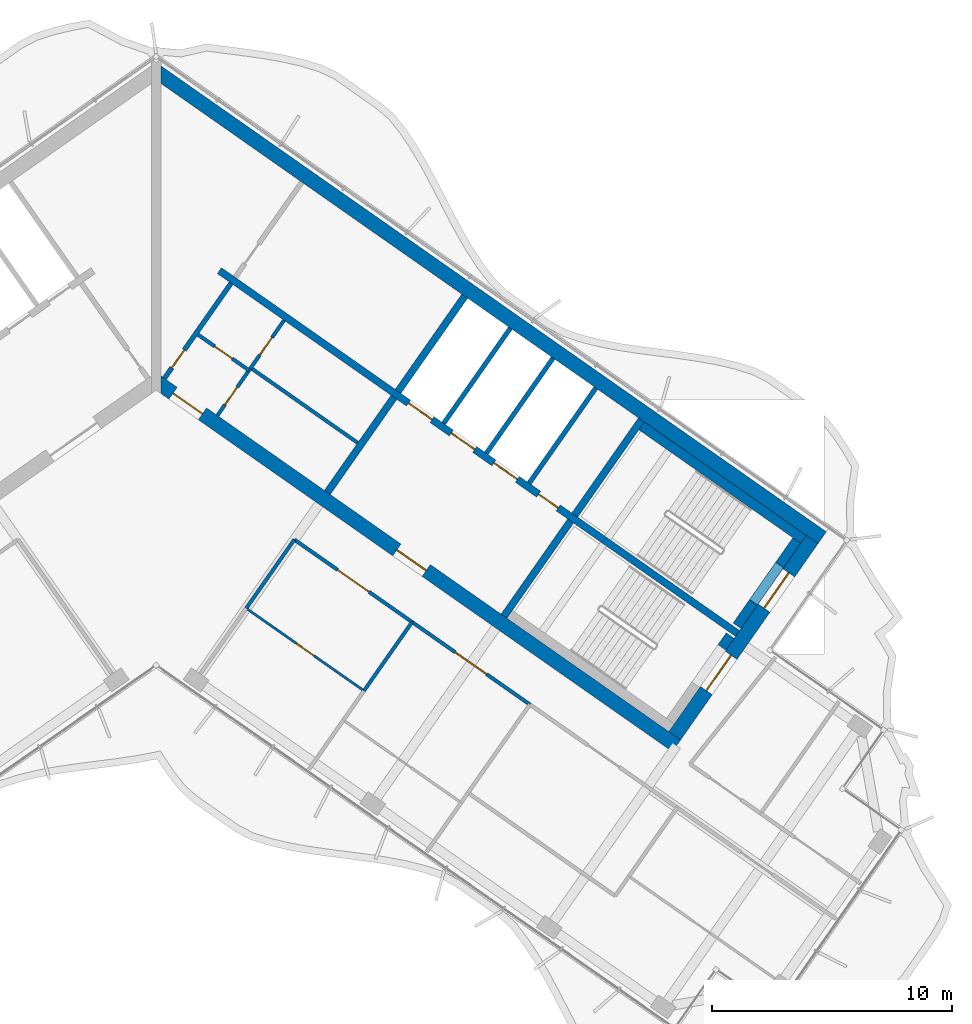
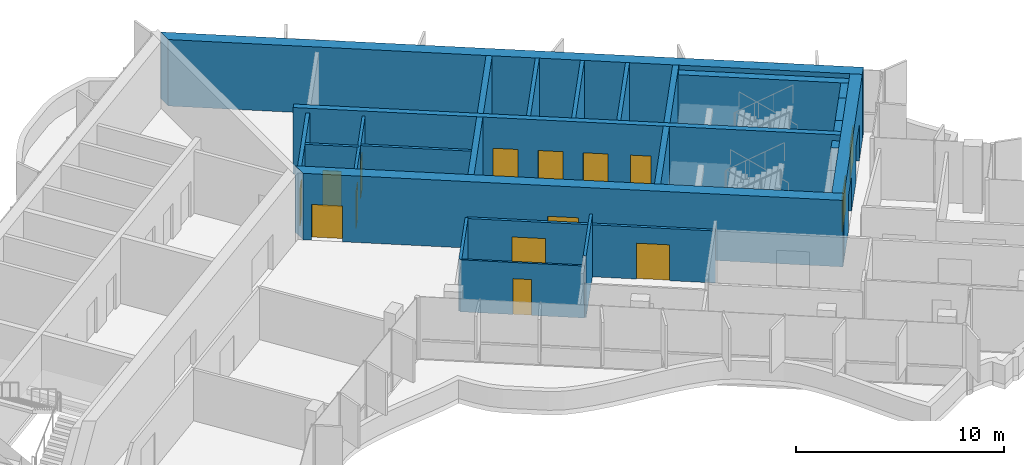
# One storey, part 11 of 18: 25 walls, 15 doors, 15 openings.
"""IFC4 building model written with IfcOpenShell, lengths in metres."""

from ifc_helpers import new_model, si_unit, direction, frame, frame_2d, origin, place, context, subcontext, project, spatial, polyline, rectangle, outline, extrude, material, layer, layer_set, type_object, element, fill, save


model = new_model("IFC4")

# Units and contexts
model_context = context("Model", 3, precision=1e-05, world=origin(), true_north=direction((0.0, 1.0)))
body_context = subcontext(model_context, "Body", "Model", "MODEL_VIEW")
ifc_project = project(units=[si_unit("LENGTHUNIT", "METRE"), si_unit("AREAUNIT", "SQUARE_METRE"), si_unit("VOLUMEUNIT", "CUBIC_METRE"), si_unit("PLANEANGLEUNIT", "RADIAN"), si_unit("MASSUNIT", "GRAM", prefix="KILO")], contexts=[model_context])

# Site, building, storey
site_placement = place(None, origin())
site = spatial("IfcSite", under=ifc_project, at=site_placement, CompositionType="ELEMENT")
building_placement = place(site_placement, origin())
building = spatial("IfcBuilding", under=site, at=building_placement, Name="Tel Ilan Convention Tower", CompositionType="ELEMENT")
storey_placement = place(building_placement, frame((0.0, 0.0, 252.699951171875)))
storey = spatial("IfcBuildingStorey", under=building, at=storey_placement, Name="L59", CompositionType="ELEMENT", Elevation=252.699951171875)

# Wall, openings, doors
ifc_material_1 = material(Name="Gypsum Plasterboard on Steel Stud", Category="steel")
ifc_layer_1 = layer(ifc_material_1, 0.14990234375)
ifc_layer_set_1 = layer_set([ifc_layer_1], Name="Core Room Partition Wall 150 mm EI 60")
wall_type_1 = type_object("IfcWallType", Name="Core Room Partition Wall 150 mm EI 60", PredefinedType="PARTITIONING", material=ifc_layer_set_1)
wall_1_placement = place(storey_placement, frame((2.5556640625, -2.27783203125, 0.0), z_axis=(0.0, 0.0, 1.0), x_axis=(0.573560315113, 0.819163332265, 0.0)))
wall_1 = element("IfcWall", 1, at=wall_1_placement, inside=storey, type_object=wall_type_1, Name="L59 core wall wc-v1", PredefinedType="PARTITIONING", context=body_context, shape_type="SweptSolid", body=[
    extrude(rectangle(XDim=4.849853515625, YDim=0.14990234375, at=frame_2d((2.4248046875, 0.0))), origin(), (0.0, 0.0, 1.0), 3.6201171875),
])
opening_1_placement = place(wall_1_placement, frame((0.550048828125, 0.0, 0.0)))
opening_1 = element("IfcOpeningElement", 2, at=opening_1_placement, cuts=wall_1, Name="Opening CD4611", PredefinedType="OPENING", context=body_context, shape_type="SweptSolid", body=[
    extrude(rectangle(XDim=0.89990234375, YDim=2.10009765625, at=frame_2d((0.449951171875, 1.050048828125))), frame((0.0, 0.0849609375, 0.0), z_axis=(0.0, -1.0, 0.0), x_axis=(1.0, 0.0, 0.0)), (0.0, 0.0, 1.0), 0.169921875),
])
opening_2_placement = place(wall_1_placement, frame((3.074951171875, 0.0, 0.0)))
opening_2 = element("IfcOpeningElement", 3, at=opening_2_placement, cuts=wall_1, Name="Opening CD4612", PredefinedType="OPENING", context=body_context, shape_type="SweptSolid", body=[
    extrude(rectangle(XDim=0.89990234375, YDim=2.10009765625, at=frame_2d((0.449951171875, 1.050048828125))), frame((0.0, 0.0849609375, 0.0), z_axis=(0.0, -1.0, 0.0), x_axis=(1.0, 0.0, 0.0)), (0.0, 0.0, 1.0), 0.169921875),
])
ifc_material_2 = material(Name="Laminated Timber Door Leaf", Category="wood")
door_type_1 = type_object("IfcDoorType", Name="Toilet Door 900 x 2100 FD30S", OperationType="NOTDEFINED", PredefinedType="DOOR", material=ifc_material_2)
door_1_placement = place(opening_1_placement, origin())
door_1 = element("IfcDoor", 4, at=door_1_placement, inside=storey, type_object=door_type_1, Name="Women's WC door", OperationType="SINGLE_SWING_RIGHT", OverallHeight=2.10009765625, OverallWidth=0.89990234375, PredefinedType="DOOR", context=body_context, shape_type="SweptSolid", body=[
    extrude(rectangle(XDim=0.89990234375, YDim=2.10009765625, at=frame_2d((0.449951171875, 1.050048828125))), frame((0.0, 0.02490234375, 0.0), z_axis=(0.0, -1.0, 0.0), x_axis=(1.0, 0.0, 0.0)), (0.0, 0.0, 1.0), 0.050048828125),
])
fill(opening_1, door_1)
door_2_placement = place(opening_2_placement, origin())
door_2 = element("IfcDoor", 5, at=door_2_placement, inside=storey, type_object=door_type_1, Name="Men's WC door", OperationType="SINGLE_SWING_RIGHT", OverallHeight=2.10009765625, OverallWidth=0.89990234375, PredefinedType="DOOR", context=body_context, shape_type="SweptSolid", body=[
    extrude(rectangle(XDim=0.89990234375, YDim=2.10009765625, at=frame_2d((0.449951171875, 1.050048828125))), frame((0.0, 0.02490234375, 0.0), z_axis=(0.0, -1.0, 0.0), x_axis=(1.0, 0.0, 0.0)), (0.0, 0.0, 1.0), 0.050048828125),
])
fill(opening_2, door_2)

# Wall, opening, door
wall_2_placement = place(storey_placement, frame((1.7451171875, 1.097412109375, 0.0), z_axis=(0.0, 0.0, 1.0), x_axis=(0.819178980414, -0.573537965655, 0.0)))
wall_2 = element("IfcWall", 6, at=wall_2_placement, inside=storey, type_object=wall_type_1, Name="L59 core wall wc-h1", PredefinedType="PARTITIONING", context=body_context, shape_type="SweptSolid", body=[
    extrude(rectangle(XDim=2.60009765625, YDim=0.14990234375, at=frame_2d((1.300048828125, 0.0))), origin(), (0.0, 0.0, 1.0), 3.6201171875),
])
opening_3_placement = place(wall_2_placement, frame((0.85009765625, 0.0, 0.0)))
opening_3 = element("IfcOpeningElement", 7, at=opening_3_placement, cuts=wall_2, Name="Opening CD4610", PredefinedType="OPENING", context=body_context, shape_type="SweptSolid", body=[
    extrude(rectangle(XDim=0.89990234375, YDim=2.10009765625, at=frame_2d((0.449951171875, 1.050048828125))), frame((0.0, 0.0849609375, 0.0), z_axis=(0.0, -1.0, 0.0), x_axis=(1.0, 0.0, 0.0)), (0.0, 0.0, 1.0), 0.169921875),
])
door_3_placement = place(opening_3_placement, origin())
door_3 = element("IfcDoor", 8, at=door_3_placement, inside=storey, type_object=door_type_1, Name="Accessible WC door", OperationType="SINGLE_SWING_RIGHT", OverallHeight=2.10009765625, OverallWidth=0.89990234375, PredefinedType="DOOR", context=body_context, shape_type="SweptSolid", body=[
    extrude(rectangle(XDim=0.89990234375, YDim=2.10009765625, at=frame_2d((0.449951171875, 1.050048828125))), frame((0.0, 0.02490234375, 0.0), z_axis=(0.0, -1.0, 0.0), x_axis=(1.0, 0.0, 0.0)), (0.0, 0.0, 1.0), 0.050048828125),
])
fill(opening_3, door_3)

# Wall
wall_3_placement = place(storey_placement, frame((3.946533203125, -0.29150390625, 0.0), z_axis=(0.0, 0.0, 1.0), x_axis=(0.819151939971, -0.573576585332, 0.0)))
element("IfcWall", 9, at=wall_3_placement, inside=storey, type_object=wall_type_1, Name="L59 core wall wc-h2", PredefinedType="PARTITIONING", context=body_context, shape_type="SweptSolid", body=[
    extrude(rectangle(XDim=5.449951171875, YDim=0.14990234375, at=frame_2d((2.72509765625, 0.0))), origin(), (0.0, 0.0, 1.0), 3.6201171875),
])

# Wall, opening, door
ifc_material_3 = material(Name="Concrete C30/37", Category="concrete")
ifc_layer_2 = layer(ifc_material_3, 0.199951171875)
ifc_layer_set_2 = layer_set([ifc_layer_2], Name="Core Service Room Wall 200 mm C30/37")
wall_type_2 = type_object("IfcWallType", Name="Core Service Room Wall 200 mm C30/37", PredefinedType="SOLIDWALL", material=ifc_layer_set_2)
wall_4_placement = place(storey_placement, frame((0.343994140625, -0.729248046875, 0.0), z_axis=(0.0, 0.0, 1.0), x_axis=(0.573560315113, 0.819163332265, 0.0)))
wall_4 = element("IfcWall", 10, at=wall_4_placement, inside=storey, type_object=wall_type_2, Name="L59 core wall apex-E", PredefinedType="SOLIDWALL", context=body_context, shape_type="SweptSolid", body=[
    extrude(rectangle(XDim=4.849853515625, YDim=0.199951171875, at=frame_2d((2.4248046875, 0.0))), origin(), (0.0, 0.0, 1.0), 3.6201171875),
])
opening_4_placement = place(wall_4_placement, frame((0.550048828125, 0.0, 0.0)))
opening_4 = element("IfcOpeningElement", 11, at=opening_4_placement, cuts=wall_4, Name="Opening CD4601", PredefinedType="OPENING", context=body_context, shape_type="SweptSolid", body=[
    extrude(rectangle(XDim=0.89990234375, YDim=2.10009765625, at=frame_2d((0.449951171875, 1.050048828125))), frame((0.0, 0.10986328125, 0.0), z_axis=(0.0, -1.0, 0.0), x_axis=(1.0, 0.0, 0.0)), (0.0, 0.0, 1.0), 0.219970703125),
])
ifc_material_4 = material(Name="Galvanised Steel Door Leaf", Category="steel")
door_type_2 = type_object("IfcDoorType", Name="Service Room Door 900 x 2100 FD60", OperationType="NOTDEFINED", PredefinedType="DOOR", material=ifc_material_4)
door_4_placement = place(opening_4_placement, origin())
door_4 = element("IfcDoor", 12, at=door_4_placement, inside=storey, type_object=door_type_2, Name="Store Room door", OperationType="SINGLE_SWING_RIGHT", OverallHeight=2.10009765625, OverallWidth=0.89990234375, PredefinedType="DOOR", context=body_context, shape_type="SweptSolid", body=[
    extrude(rectangle(XDim=0.89990234375, YDim=2.10009765625, at=frame_2d((0.449951171875, 1.050048828125))), frame((0.0, 0.02490234375, 0.0), z_axis=(0.0, -1.0, 0.0), x_axis=(1.0, 0.0, 0.0)), (0.0, 0.0, 1.0), 0.050048828125),
])
fill(opening_4, door_4)

# Walls
ifc_material_5 = material(Name="Concrete C40/50", Category="concrete")
ifc_layer_3 = layer(ifc_material_5, 0.300048828125)
ifc_layer_set_3 = layer_set([ifc_layer_3], Name="Core Shear Wall 300 mm C40/50")
wall_type_3 = type_object("IfcWallType", Name="Core Shear Wall 300 mm C40/50", PredefinedType="SHEAR", material=ifc_layer_set_3)
wall_5_placement = place(storey_placement, frame((7.142822265625, -5.48974609375, 0.0), z_axis=(0.0, 0.0, 1.0), x_axis=(0.573617744349, 0.819123118565, 0.0)))
element("IfcWall", 13, at=wall_5_placement, inside=storey, type_object=wall_type_3, Name="L59 core wall E-cross1-1", PredefinedType="SHEAR", context=body_context, shape_type="SweptSolid", body=[
    extrude(outline(polyline([(0.0, 0.14990234375), (0.0, -0.150146484375), (4.85009765625, -0.14990234375), (4.85009765625, 0.150146484375), (0.0, 0.14990234375)])), origin(), (0.0, 0.0, 1.0), 3.900146484375),
])
wall_6_placement = place(storey_placement, frame((10.096923828125, -1.271240234375, 0.0), z_axis=(0.0, 0.0, 1.0), x_axis=(0.573560315113, 0.819163332265, 0.0)))
element("IfcWall", 14, at=wall_6_placement, inside=storey, type_object=wall_type_3, Name="L59 core wall E-cross1-2", PredefinedType="SHEAR", context=body_context, shape_type="SweptSolid", body=[
    extrude(outline(polyline([(4.849853515625, -0.150146484375), (4.849853515625, 0.14990234375), (0.0, 0.150146484375), (0.0, -0.14990234375), (4.849853515625, -0.150146484375)])), origin(), (0.0, 0.0, 1.0), 3.900146484375),
])
wall_7_placement = place(storey_placement, frame((14.515380859375, -10.652099609375, 0.0), z_axis=(0.0, 0.0, 1.0), x_axis=(0.573560315113, 0.819163332265, 0.0)))
element("IfcWall", 15, at=wall_7_placement, inside=storey, type_object=wall_type_3, Name="L59 core wall E-cross2-1", PredefinedType="SHEAR", context=body_context, shape_type="SweptSolid", body=[
    extrude(outline(polyline([(0.0, 0.150146484375), (0.0, -0.14990234375), (4.85009765625, -0.14990234375), (4.85009765625, 0.14990234375), (0.0, 0.150146484375)])), origin(), (0.0, 0.0, 1.0), 3.900146484375),
])
wall_8_placement = place(storey_placement, frame((17.46923828125, -6.433349609375, 0.0), z_axis=(0.0, 0.0, 1.0), x_axis=(0.573594092424, 0.81913968109, 0.0)))
element("IfcWall", 16, at=wall_8_placement, inside=storey, type_object=wall_type_3, Name="L59 core wall E-cross2-2", PredefinedType="SHEAR", context=body_context, shape_type="SweptSolid", body=[
    extrude(outline(polyline([(4.849853515625, -0.14990234375), (4.849853515625, 0.150146484375), (0.0, 0.14990234375), (0.0, -0.14990234375), (4.849853515625, -0.14990234375)])), origin(), (0.0, 0.0, 1.0), 3.900146484375),
])

# Wall, openings, doors
wall_9_placement = place(storey_placement, frame((2.638427734375, 3.76806640625, 0.0), z_axis=(0.0, 0.0, 1.0), x_axis=(0.819155014212, -0.573572194837, 0.0)))
wall_9 = element("IfcWall", 17, at=wall_9_placement, inside=storey, type_object=wall_type_3, Name="L59 core wall E-spine", PredefinedType="SHEAR", context=body_context, shape_type="SweptSolid", body=[
    extrude(outline(polyline([(0.0, 0.150146484375), (0.0, -0.14990234375), (26.39990234375, -0.150146484375), (26.39990234375, 0.14990234375), (0.0, 0.150146484375)])), origin(), (0.0, 0.0, 1.0), 3.900146484375),
])
opening_5_placement = place(wall_9_placement, frame((9.637451171875, 0.0, 0.0)))
opening_5 = element("IfcOpeningElement", 18, at=opening_5_placement, cuts=wall_9, Name="Opening LD4601", PredefinedType="OPENING", context=body_context, shape_type="SweptSolid", body=[
    extrude(rectangle(XDim=1.199951171875, YDim=2.10009765625, at=frame_2d((0.60009765625, 1.050048828125))), frame((0.0, 0.159912109375, 0.0), z_axis=(0.0, -1.0, 0.0), x_axis=(1.0, 0.0, 0.0)), (0.0, 0.0, 1.0), 0.320068359375),
])
opening_6_placement = place(wall_9_placement, frame((11.8125, 0.0, 0.0)))
opening_6 = element("IfcOpeningElement", 19, at=opening_6_placement, cuts=wall_9, Name="Opening LD4602", PredefinedType="OPENING", context=body_context, shape_type="SweptSolid", body=[
    extrude(rectangle(XDim=1.199951171875, YDim=2.10009765625, at=frame_2d((0.60009765625, 1.050048828125))), frame((0.0, 0.159912109375, 0.0), z_axis=(0.0, -1.0, 0.0), x_axis=(1.0, 0.0, 0.0)), (0.0, 0.0, 1.0), 0.320068359375),
])
opening_7_placement = place(wall_9_placement, frame((13.987548828125, 0.0, 0.0)))
opening_7 = element("IfcOpeningElement", 20, at=opening_7_placement, cuts=wall_9, Name="Opening LD4603", PredefinedType="OPENING", context=body_context, shape_type="SweptSolid", body=[
    extrude(rectangle(XDim=1.199951171875, YDim=2.10009765625, at=frame_2d((0.60009765625, 1.050048828125))), frame((0.0, 0.159912109375, 0.0), z_axis=(0.0, -1.0, 0.0), x_axis=(1.0, 0.0, 0.0)), (0.0, 0.0, 1.0), 0.320068359375),
])
opening_8_placement = place(wall_9_placement, frame((16.262451171875, 0.0, 0.0)))
opening_8 = element("IfcOpeningElement", 21, at=opening_8_placement, cuts=wall_9, Name="Opening CD4608", PredefinedType="OPENING", context=body_context, shape_type="SweptSolid", body=[
    extrude(rectangle(XDim=1.0, YDim=2.10009765625, at=frame_2d((0.5, 1.050048828125))), frame((0.0, 0.159912109375, 0.0), z_axis=(0.0, -1.0, 0.0), x_axis=(1.0, 0.0, 0.0)), (0.0, 0.0, 1.0), 0.320068359375),
])
ifc_material_6 = material(Name="Stainless Steel Sliding Door Leaf", Category="steel")
door_type_3 = type_object("IfcDoorType", Name="Lift Landing Door 1200 x 2100 FD120", OperationType="NOTDEFINED", PredefinedType="DOOR", material=ifc_material_6)
door_5_placement = place(opening_5_placement, origin())
door_5 = element("IfcDoor", 22, at=door_5_placement, inside=storey, type_object=door_type_3, Name="Lift FL1 landing door", OperationType="SLIDING_TO_LEFT", OverallHeight=2.10009765625, OverallWidth=1.199951171875, PredefinedType="DOOR", context=body_context, shape_type="SweptSolid", body=[
    extrude(rectangle(XDim=1.199951171875, YDim=2.10009765625, at=frame_2d((0.60009765625, 1.050048828125))), frame((0.0, 0.02490234375, 0.0), z_axis=(0.0, -1.0, 0.0), x_axis=(1.0, 0.0, 0.0)), (0.0, 0.0, 1.0), 0.050048828125),
])
fill(opening_5, door_5)
door_6_placement = place(opening_6_placement, origin())
door_6 = element("IfcDoor", 23, at=door_6_placement, inside=storey, type_object=door_type_3, Name="Lift FL2 landing door", OperationType="SLIDING_TO_RIGHT", OverallHeight=2.10009765625, OverallWidth=1.199951171875, PredefinedType="DOOR", context=body_context, shape_type="SweptSolid", body=[
    extrude(rectangle(XDim=1.199951171875, YDim=2.10009765625, at=frame_2d((0.60009765625, 1.050048828125))), frame((0.0, 0.02490234375, 0.0), z_axis=(0.0, -1.0, 0.0), x_axis=(1.0, 0.0, 0.0)), (0.0, 0.0, 1.0), 0.050048828125),
])
fill(opening_6, door_6)
door_7_placement = place(opening_7_placement, origin())
door_7 = element("IfcDoor", 24, at=door_7_placement, inside=storey, type_object=door_type_3, Name="Lift FL3 landing door", OperationType="SLIDING_TO_LEFT", OverallHeight=2.10009765625, OverallWidth=1.199951171875, PredefinedType="DOOR", context=body_context, shape_type="SweptSolid", body=[
    extrude(rectangle(XDim=1.199951171875, YDim=2.10009765625, at=frame_2d((0.60009765625, 1.050048828125))), frame((0.0, 0.02490234375, 0.0), z_axis=(0.0, -1.0, 0.0), x_axis=(1.0, 0.0, 0.0)), (0.0, 0.0, 1.0), 0.050048828125),
])
fill(opening_7, door_7)
ifc_material_7 = material(Name="Galvanised Steel Door Leaf", Category="steel")
door_type_4 = type_object("IfcDoorType", Name="Service Room Door 1000 x 2100 FD60", OperationType="NOTDEFINED", PredefinedType="DOOR", material=ifc_material_7)
door_8_placement = place(opening_8_placement, origin())
door_8 = element("IfcDoor", 25, at=door_8_placement, inside=storey, type_object=door_type_4, Name="Plant Room door", OperationType="SINGLE_SWING_RIGHT", OverallHeight=2.10009765625, OverallWidth=1.0, PredefinedType="DOOR", context=body_context, shape_type="SweptSolid", body=[
    extrude(rectangle(XDim=1.0, YDim=2.10009765625, at=frame_2d((0.5, 1.050048828125))), frame((0.0, 0.02490234375, 0.0), z_axis=(0.0, -1.0, 0.0), x_axis=(1.0, 0.0, 0.0)), (0.0, 0.0, 1.0), 0.050048828125),
])
fill(opening_8, door_8)

# Wall
ifc_material_8 = material(Name="Concrete C40/50", Category="concrete")
ifc_layer_4 = layer(ifc_material_8, 0.60009765625)
ifc_layer_set_4 = layer_set([ifc_layer_4], Name="Core Shear Wall 600 mm C40/50")
wall_type_4 = type_object("IfcWallType", Name="Core Shear Wall 600 mm C40/50", PredefinedType="SHEAR", material=ifc_layer_set_4)
wall_10_placement = place(storey_placement, frame((0.02783203125, 12.066162109375, 0.0), z_axis=(0.0, 0.0, 1.0), x_axis=(0.819151382952, -0.573577380837, 0.0)))
element("IfcWall", 26, at=wall_10_placement, inside=storey, type_object=wall_type_4, Name="L59 core wall E-back", PredefinedType="SHEAR", context=body_context, shape_type="SweptSolid", body=[
    extrude(outline(polyline([(33.898193359375, 0.300048828125), (0.0, 0.300048828125), (0.420166015625, -0.300048828125), (33.89794921875, -0.300048828125), (33.898193359375, 0.300048828125)])), origin(), (0.0, 0.0, 1.0), 3.900146484375),
])

# Wall, openings, doors
wall_11_placement = place(storey_placement, frame((0.02783203125, -0.8740234375, 0.0), z_axis=(0.0, 0.0, 1.0), x_axis=(0.819150035022, -0.573579305871, 0.0)))
wall_11 = element("IfcWall", 27, at=wall_11_placement, inside=storey, type_object=wall_type_4, Name="L59 core wall E-front", PredefinedType="SHEAR", context=body_context, shape_type="SweptSolid", body=[
    extrude(outline(polyline([(26.475830078125, 0.300048828125), (0.000244140625, 0.300048828125), (0.420166015625, -0.300048828125), (26.475830078125, -0.2998046875), (26.475830078125, 0.300048828125)])), origin(), (0.0, 0.0, 1.0), 3.900146484375),
])
opening_9_placement = place(wall_11_placement, frame((0.82568359375, 0.0, 0.0)))
opening_9 = element("IfcOpeningElement", 28, at=opening_9_placement, cuts=wall_11, Name="Opening CD4604", PredefinedType="OPENING", context=body_context, shape_type="SweptSolid", body=[
    extrude(rectangle(XDim=1.5, YDim=2.10009765625, at=frame_2d((0.75, 1.050048828125))), frame((0.0, 0.31005859375, 0.0), z_axis=(0.0, -1.0, 0.0), x_axis=(1.0, 0.0, 0.0)), (0.0, 0.0, 1.0), 0.6201171875),
])
opening_10_placement = place(wall_11_placement, frame((12.225830078125, 0.0, 0.0)))
opening_10 = element("IfcOpeningElement", 29, at=opening_10_placement, cuts=wall_11, Name="Opening CD4605", PredefinedType="OPENING", context=body_context, shape_type="SweptSolid", body=[
    extrude(rectangle(XDim=1.5, YDim=2.10009765625, at=frame_2d((0.75, 1.050048828125))), frame((0.0, 0.31005859375, 0.0), z_axis=(0.0, -1.0, 0.0), x_axis=(1.0, 0.0, 0.0)), (0.0, 0.0, 1.0), 0.6201171875),
])
ifc_material_9 = material(Name="Glazed Aluminium Door Leaf", Category="aluminium")
door_type_5 = type_object("IfcDoorType", Name="Lobby Opening Door 1500 x 2100 FD60S", OperationType="NOTDEFINED", PredefinedType="DOOR", material=ifc_material_9)
door_9_placement = place(opening_10_placement, origin())
door_9 = element("IfcDoor", 30, at=door_9_placement, inside=storey, type_object=door_type_5, Name="Firefighting Lobby door", OperationType="DOUBLE_DOOR_SINGLE_SWING", OverallHeight=2.10009765625, OverallWidth=1.5, PredefinedType="DOOR", context=body_context, shape_type="SweptSolid", body=[
    extrude(rectangle(XDim=1.5, YDim=2.10009765625, at=frame_2d((0.75, 1.050048828125))), frame((0.0, 0.02490234375, 0.0), z_axis=(0.0, -1.0, 0.0), x_axis=(1.0, 0.0, 0.0)), (0.0, 0.0, 1.0), 0.050048828125),
])
fill(opening_10, door_9)
ifc_material_10 = material(Name="Laminated Timber Door Leaf", Category="wood")
door_type_6 = type_object("IfcDoorType", Name="Toilet Door 1500 x 2100 FD30S", OperationType="NOTDEFINED", PredefinedType="DOOR", material=ifc_material_10)
door_10_placement = place(opening_9_placement, origin())
door_10 = element("IfcDoor", 31, at=door_10_placement, inside=storey, type_object=door_type_6, Name="WC Lobby door", OperationType="SINGLE_SWING_RIGHT", OverallHeight=2.10009765625, OverallWidth=1.5, PredefinedType="DOOR", context=body_context, shape_type="SweptSolid", body=[
    extrude(rectangle(XDim=1.5, YDim=2.10009765625, at=frame_2d((0.75, 1.050048828125))), frame((0.0, 0.02490234375, 0.0), z_axis=(0.0, -1.0, 0.0), x_axis=(1.0, 0.0, 0.0)), (0.0, 0.0, 1.0), 0.050048828125),
])
fill(opening_9, door_10)

wall_12_placement = place(storey_placement, frame((21.641845703125, -15.64208984375, 0.0), z_axis=(0.0, 0.0, 1.0), x_axis=(0.573586866468, 0.819144740944, 0.0)))
wall_12 = element("IfcWall", 32, at=wall_12_placement, inside=storey, type_object=wall_type_4, Name="L59 core wall E-end", PredefinedType="SHEAR", context=body_context, shape_type="SweptSolid", body=[
    extrude(outline(polyline([(10.0, 0.300048828125), (0.0, 0.2998046875), (0.0, -0.300048828125), (10.0, -0.300048828125), (10.0, 0.300048828125)])), origin(), (0.0, 0.0, 1.0), 3.900146484375),
])
opening_11_placement = place(wall_12_placement, frame((6.5, 0.0, 0.0)))
opening_11 = element("IfcOpeningElement", 33, at=opening_11_placement, cuts=wall_12, Name="Opening SD4603", PredefinedType="OPENING", context=body_context, shape_type="SweptSolid", body=[
    extrude(rectangle(XDim=1.800048828125, YDim=2.10009765625, at=frame_2d((0.89990234375, 1.050048828125))), frame((0.0, 0.31005859375, 0.0), z_axis=(0.0, -1.0, 0.0), x_axis=(1.0, 0.0, 0.0)), (0.0, 0.0, 1.0), 0.6201171875),
])
opening_12_placement = place(wall_12_placement, frame((2.300048828125, 0.0, 0.0)))
opening_12 = element("IfcOpeningElement", 34, at=opening_12_placement, cuts=wall_12, Name="Opening SD4604", PredefinedType="OPENING", context=body_context, shape_type="SweptSolid", body=[
    extrude(rectangle(XDim=1.800048828125, YDim=2.10009765625, at=frame_2d((0.89990234375, 1.050048828125))), frame((0.0, 0.31005859375, 0.0), z_axis=(0.0, -1.0, 0.0), x_axis=(1.0, 0.0, 0.0)), (0.0, 0.0, 1.0), 0.6201171875),
])
ifc_material_11 = material(Name="Galvanised Steel Door Leaf", Category="steel")
door_type_7 = type_object("IfcDoorType", Name="Stair Fire Door 1800 x 2100 FD60S", OperationType="NOTDEFINED", PredefinedType="DOOR", material=ifc_material_11)
door_11_placement = place(opening_11_placement, origin())
door_11 = element("IfcDoor", 35, at=door_11_placement, inside=storey, type_object=door_type_7, Name="Stair S3 door", OperationType="DOUBLE_DOOR_SINGLE_SWING", OverallHeight=2.10009765625, OverallWidth=1.800048828125, PredefinedType="DOOR", context=body_context, shape_type="SweptSolid", body=[
    extrude(rectangle(XDim=1.800048828125, YDim=2.10009765625, at=frame_2d((0.89990234375, 1.050048828125))), frame((0.0, 0.02490234375, 0.0), z_axis=(0.0, -1.0, 0.0), x_axis=(1.0, 0.0, 0.0)), (0.0, 0.0, 1.0), 0.050048828125),
])
fill(opening_11, door_11)
door_12_placement = place(opening_12_placement, origin())
door_12 = element("IfcDoor", 36, at=door_12_placement, inside=storey, type_object=door_type_7, Name="Stair S4 door", OperationType="DOUBLE_DOOR_SINGLE_SWING", OverallHeight=2.10009765625, OverallWidth=1.800048828125, PredefinedType="DOOR", context=body_context, shape_type="SweptSolid", body=[
    extrude(rectangle(XDim=1.800048828125, YDim=2.10009765625, at=frame_2d((0.89990234375, 1.050048828125))), frame((0.0, 0.02490234375, 0.0), z_axis=(0.0, -1.0, 0.0), x_axis=(1.0, 0.0, 0.0)), (0.0, 0.0, 1.0), 0.050048828125),
])
fill(opening_12, door_12)

# Wall, opening, door
ifc_material_12 = material(Name="Plasterboard on Steel Studs", Category="steel")
ifc_layer_5 = layer(ifc_material_12, 0.14990234375)
ifc_layer_set_5 = layer_set([ifc_layer_5], Name="Fire-rated Partition 150 EI 60")
wall_type_5 = type_object("IfcWallType", Name="Fire-rated Partition 150 EI 60", PredefinedType="PARTITIONING", material=ifc_layer_set_5)
wall_13_placement = place(storey_placement, frame((10.682861328125, -10.8984375, 0.0), z_axis=(0.0, 0.0, 1.0), x_axis=(-0.819147828287, 0.573582457378, 0.0)))
wall_13 = element("IfcWall", 37, at=wall_13_placement, inside=storey, type_object=wall_type_5, Name="Partition 003", PredefinedType="PARTITIONING", context=body_context, shape_type="SweptSolid", body=[
    extrude(rectangle(XDim=6.001953125, YDim=0.14990234375, at=frame_2d((3.0009765625, 0.0))), origin(), (0.0, 0.0, 1.0), 3.050048828125),
])
opening_13_placement = place(wall_13_placement, frame((2.200927734375, 0.0, 0.0)))
opening_13 = element("IfcOpeningElement", 38, at=opening_13_placement, cuts=wall_13, Name="Opening L59-007", PredefinedType="OPENING", context=body_context, shape_type="SweptSolid", body=[
    extrude(rectangle(XDim=1.60009765625, YDim=2.10009765625, at=frame_2d((0.800048828125, 1.050048828125))), frame((0.0, 0.0849609375, 0.0), z_axis=(0.0, -1.0, 0.0), x_axis=(1.0, 0.0, 0.0)), (0.0, 0.0, 1.0), 0.169921875),
])
ifc_material_13 = material(Name="Timber Door Leaf in Steel Frame", Category="steel")
door_type_8 = type_object("IfcDoorType", Name="Tenant Suite Entrance Fire Door 1600x2100", OperationType="NOTDEFINED", PredefinedType="DOOR", material=ifc_material_13)
door_13_placement = place(opening_13_placement, origin())
door_13 = element("IfcDoor", 39, at=door_13_placement, inside=storey, type_object=door_type_8, Name="Door L59-007", OperationType="DOUBLE_DOOR_SINGLE_SWING", OverallHeight=2.10009765625, OverallWidth=1.60009765625, PredefinedType="DOOR", context=body_context, shape_type="SweptSolid", body=[
    extrude(rectangle(XDim=1.60009765625, YDim=2.10009765625, at=frame_2d((0.800048828125, 1.050048828125))), frame((0.0, 0.02490234375, 0.0), z_axis=(0.0, -1.0, 0.0), x_axis=(1.0, 0.0, 0.0)), (0.0, 0.0, 1.0), 0.050048828125),
])
fill(opening_13, door_13)

wall_14_placement = place(storey_placement, frame((15.597900390625, -14.33984375, 0.0), z_axis=(0.0, 0.0, 1.0), x_axis=(-0.819145946981, 0.573585144111, 0.0)))
wall_14 = element("IfcWall", 40, at=wall_14_placement, inside=storey, type_object=wall_type_5, Name="Partition 004", PredefinedType="PARTITIONING", context=body_context, shape_type="SweptSolid", body=[
    extrude(rectangle(XDim=6.004150390625, YDim=0.14990234375, at=frame_2d((3.001953125, 0.0))), origin(), (0.0, 0.0, 1.0), 3.050048828125),
])
opening_14_placement = place(wall_14_placement, frame((2.201904296875, 0.0, 0.0)))
opening_14 = element("IfcOpeningElement", 41, at=opening_14_placement, cuts=wall_14, Name="Opening L59-009", PredefinedType="OPENING", context=body_context, shape_type="SweptSolid", body=[
    extrude(rectangle(XDim=1.60009765625, YDim=2.10009765625, at=frame_2d((0.800048828125, 1.050048828125))), frame((0.0, 0.0849609375, 0.0), z_axis=(0.0, -1.0, 0.0), x_axis=(1.0, 0.0, 0.0)), (0.0, 0.0, 1.0), 0.169921875),
])
door_14_placement = place(opening_14_placement, origin())
door_14 = element("IfcDoor", 42, at=door_14_placement, inside=storey, type_object=door_type_8, Name="Door L59-009", OperationType="DOUBLE_DOOR_SINGLE_SWING", OverallHeight=2.10009765625, OverallWidth=1.60009765625, PredefinedType="DOOR", context=body_context, shape_type="SweptSolid", body=[
    extrude(rectangle(XDim=1.60009765625, YDim=2.10009765625, at=frame_2d((0.800048828125, 1.050048828125))), frame((0.0, 0.02490234375, 0.0), z_axis=(0.0, -1.0, 0.0), x_axis=(1.0, 0.0, 0.0)), (0.0, 0.0, 1.0), 0.050048828125),
])
fill(opening_14, door_14)

# Walls
wall_15_placement = place(storey_placement, frame((10.681396484375, -10.897216796875, 0.0), z_axis=(0.0, 0.0, 1.0), x_axis=(-0.573612130335, -0.819127049933, 0.0)))
element("IfcWall", 43, at=wall_15_placement, inside=storey, type_object=wall_type_5, Name="Partition 017", PredefinedType="PARTITIONING", context=body_context, shape_type="SweptSolid", body=[
    extrude(rectangle(XDim=3.500244140625, YDim=0.14990234375, at=frame_2d((1.75, 0.0))), origin(), (0.0, 0.0, 1.0), 3.6201171875),
])
wall_16_placement = place(storey_placement, frame((3.7587890625, -10.32275390625, 0.0), z_axis=(0.0, 0.0, 1.0), x_axis=(0.573598101901, 0.81913687348, 0.0)))
element("IfcWall", 44, at=wall_16_placement, inside=storey, type_object=wall_type_5, Name="Partition 018", PredefinedType="PARTITIONING", context=body_context, shape_type="SweptSolid", body=[
    extrude(rectangle(XDim=3.5, YDim=0.14990234375, at=frame_2d((1.75, 0.0))), origin(), (0.0, 0.0, 1.0), 3.050048828125),
])
ifc_material_14 = material(Name="Concrete C30/37", Category="concrete")
ifc_layer_6 = layer(ifc_material_14, 0.199951171875)
ifc_layer_set_6 = layer_set([ifc_layer_6], Name="Lift Shaft Wall 200 mm C30/37")
wall_type_6 = type_object("IfcWallType", Name="Lift Shaft Wall 200 mm C30/37", PredefinedType="SOLIDWALL", material=ifc_layer_set_6)
wall_17_placement = place(storey_placement, frame((12.00146484375, -2.604736328125, 0.0), z_axis=(0.0, 0.0, 1.0), x_axis=(0.573560315113, 0.819163332265, 0.0)))
element("IfcWall", 45, at=wall_17_placement, inside=storey, type_object=wall_type_6, Name="L59 core wall bank-E2-p0", PredefinedType="SOLIDWALL", context=body_context, shape_type="SweptSolid", body=[
    extrude(rectangle(XDim=4.849853515625, YDim=0.199951171875, at=frame_2d((2.4248046875, 0.0))), origin(), (0.0, 0.0, 1.0), 3.900146484375),
])
wall_18_placement = place(storey_placement, frame((13.782958984375, -3.852294921875, 0.0), z_axis=(0.0, 0.0, 1.0), x_axis=(0.573594092424, 0.81913968109, 0.0)))
element("IfcWall", 46, at=wall_18_placement, inside=storey, type_object=wall_type_6, Name="L59 core wall bank-E2-p1", PredefinedType="SOLIDWALL", context=body_context, shape_type="SweptSolid", body=[
    extrude(rectangle(XDim=4.85009765625, YDim=0.199951171875, at=frame_2d((2.425048828125, 0.0))), origin(), (0.0, 0.0, 1.0), 3.900146484375),
])
wall_19_placement = place(storey_placement, frame((15.564697265625, -5.099853515625, 0.0), z_axis=(0.0, 0.0, 1.0), x_axis=(0.573560315113, 0.819163332265, 0.0)))
element("IfcWall", 47, at=wall_19_placement, inside=storey, type_object=wall_type_6, Name="L59 core wall bank-E2-p2", PredefinedType="SOLIDWALL", context=body_context, shape_type="SweptSolid", body=[
    extrude(rectangle(XDim=4.849853515625, YDim=0.199951171875, at=frame_2d((2.4248046875, 0.0))), origin(), (0.0, 0.0, 1.0), 3.900146484375),
])

# Wall, opening, door
ifc_material_15 = material(Name="Plasterboard on Steel Studs", Category="steel")
ifc_layer_7 = layer(ifc_material_15, 0.10009765625)
ifc_layer_set_7 = layer_set([ifc_layer_7], Name="Plasterboard Partition 100")
wall_type_7 = type_object("IfcWallType", Name="Plasterboard Partition 100", PredefinedType="PARTITIONING", material=ifc_layer_set_7)
wall_20_placement = place(storey_placement, frame((8.673095703125, -13.76513671875, 0.0), z_axis=(0.0, 0.0, 1.0), x_axis=(-0.819149710902, 0.573579768758, 0.0)))
wall_20 = element("IfcWall", 48, at=wall_20_placement, inside=storey, type_object=wall_type_7, Name="Partition 013", PredefinedType="PARTITIONING", context=body_context, shape_type="SweptSolid", body=[
    extrude(rectangle(XDim=5.999755859375, YDim=0.10009765625, at=frame_2d((3.0, 0.0))), origin(), (0.0, 0.0, 1.0), 3.050048828125),
])
opening_15_placement = place(wall_20_placement, frame((2.550048828125, 0.0, 0.0)))
opening_15 = element("IfcOpeningElement", 49, at=opening_15_placement, cuts=wall_20, Name="Opening L59-008", PredefinedType="OPENING", context=body_context, shape_type="SweptSolid", body=[
    extrude(rectangle(XDim=0.89990234375, YDim=2.10009765625, at=frame_2d((0.449951171875, 1.050048828125))), frame((0.0, 0.06005859375, 0.0), z_axis=(0.0, -1.0, 0.0), x_axis=(1.0, 0.0, 0.0)), (0.0, 0.0, 1.0), 0.1201171875),
])
ifc_material_16 = material(Name="Timber Door Leaf in Steel Frame", Category="steel")
door_type_9 = type_object("IfcDoorType", Name="Room Timber Door 900x2100", OperationType="NOTDEFINED", PredefinedType="DOOR", material=ifc_material_16)
door_15_placement = place(opening_15_placement, origin())
door_15 = element("IfcDoor", 50, at=door_15_placement, inside=storey, type_object=door_type_9, Name="Door L59-008", OperationType="SINGLE_SWING_RIGHT", OverallHeight=2.10009765625, OverallWidth=0.89990234375, PredefinedType="DOOR", context=body_context, shape_type="SweptSolid", body=[
    extrude(rectangle(XDim=0.89990234375, YDim=2.10009765625, at=frame_2d((0.449951171875, 1.050048828125))), frame((0.0, 0.02490234375, 0.0), z_axis=(0.0, -1.0, 0.0), x_axis=(1.0, 0.0, 0.0)), (0.0, 0.0, 1.0), 0.050048828125),
])
fill(opening_15, door_15)

# Walls
ifc_material_17 = material(Name="Concrete C30/37", Category="concrete")
ifc_layer_8 = layer(ifc_material_17, 0.39990234375)
ifc_layer_set_8 = layer_set([ifc_layer_8], Name="Stair and Shaft Lining Wall 400 mm C30/37")
wall_type_8 = type_object("IfcWallType", Name="Stair and Shaft Lining Wall 400 mm C30/37", PredefinedType="SOLIDWALL", material=ifc_layer_set_8)
wall_21_placement = place(storey_placement, frame((20.25927734375, -2.71044921875, 0.0), z_axis=(0.0, 0.0, 1.0), x_axis=(0.81914849389, -0.573581506813, 0.0)))
element("IfcWall", 51, at=wall_21_placement, inside=storey, type_object=wall_type_8, Name="L59 core wall lining-S3-t1", PredefinedType="SOLIDWALL", context=body_context, shape_type="SweptSolid", body=[
    extrude(rectangle(XDim=8.249755859375, YDim=0.39990234375, at=frame_2d((4.125, 0.0))), origin(), (0.0, 0.0, 1.0), 3.6201171875),
])
wall_22_placement = place(storey_placement, frame((24.24365234375, -11.0546875, 0.0), z_axis=(0.0, 0.0, 1.0), x_axis=(0.573571582932, 0.819155442668, 0.0)))
element("IfcWall", 52, at=wall_22_placement, inside=storey, type_object=wall_type_8, Name="L59 core wall lining-S3-u1-0", PredefinedType="SOLIDWALL", context=body_context, shape_type="SweptSolid", body=[
    extrude(rectangle(XDim=1.199951171875, YDim=0.39990234375, at=frame_2d((0.60009765625, 0.0))), origin(), (0.0, 0.0, 1.0), 3.6201171875),
])
wall_23_placement = place(storey_placement, frame((26.021728515625, -8.515380859375, 0.0), z_axis=(0.0, 0.0, 1.0), x_axis=(0.573619628835, 0.819121798889, 0.0)))
element("IfcWall", 53, at=wall_23_placement, inside=storey, type_object=wall_type_8, Name="L59 core wall lining-S3-u1-1", PredefinedType="SOLIDWALL", context=body_context, shape_type="SweptSolid", body=[
    extrude(rectangle(XDim=1.25, YDim=0.39990234375, at=frame_2d((0.625, 0.0))), origin(), (0.0, 0.0, 1.0), 3.6201171875),
])
wall_24_placement = place(storey_placement, frame((24.931884765625, -10.07177734375, 2.150146484375), z_axis=(0.0, 0.0, 1.0), x_axis=(0.573591692345, 0.819141361715, 0.0)))
element("IfcWall", 54, at=wall_24_placement, inside=storey, type_object=wall_type_8, Name="L59 core wall lining-S3-u1-lintel", PredefinedType="SOLIDWALL", context=body_context, shape_type="SweptSolid", body=[
    extrude(rectangle(XDim=1.900146484375, YDim=0.39990234375, at=frame_2d((0.9501953125, 0.0))), origin(), (0.0, 0.0, 1.0), 1.469970703125),
])
wall_25_placement = place(storey_placement, frame((23.61279296875, -11.955810546875, 0.0), z_axis=(0.0, 0.0, 1.0), x_axis=(0.573435029941, 0.819251039936, 0.0)))
element("IfcWall", 55, at=wall_25_placement, inside=storey, type_object=wall_type_8, Name="L59 core wall lining-S4-u1-1", PredefinedType="SOLIDWALL", context=body_context, shape_type="SweptSolid", body=[
    extrude(rectangle(XDim=0.599853515625, YDim=0.39990234375, at=frame_2d((0.2998046875, 0.0))), origin(), (0.0, 0.0, 1.0), 3.6201171875),
])

save(model, "model.ifc")
